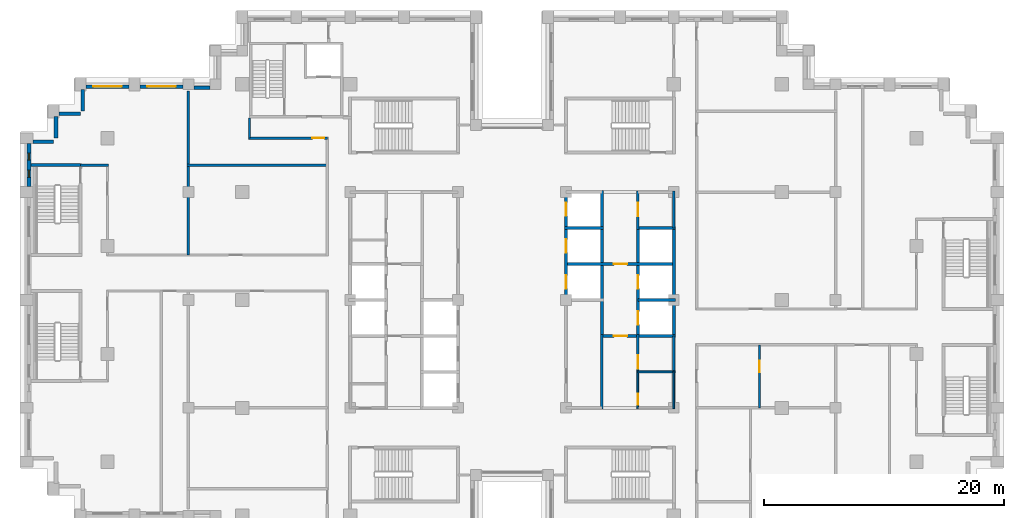
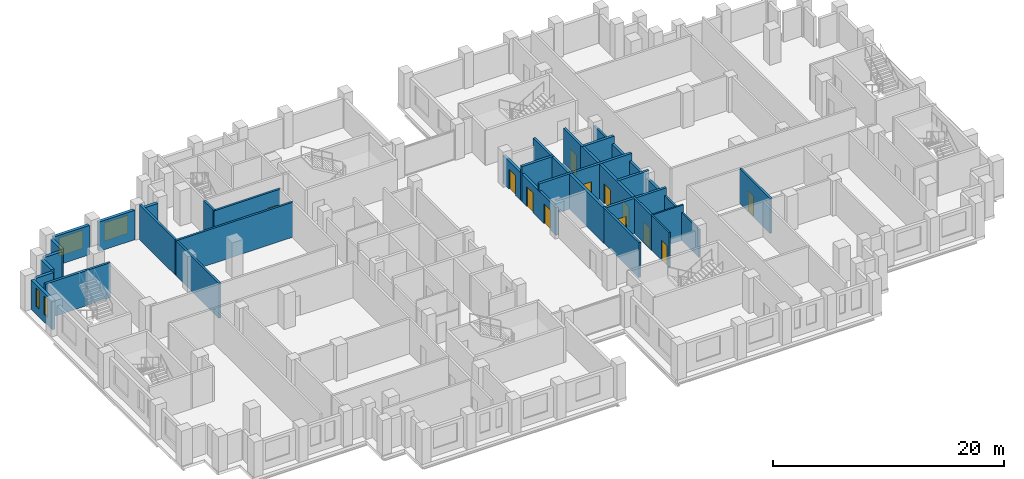
# One storey, part 9 of 15: 32 walls, 12 doors, 4 windows, 16 openings.
"""IFC4 building model written with IfcOpenShell, lengths in metres."""

from ifc_helpers import new_model, si_unit, direction, frame, frame_2d, origin, place, context, subcontext, project, spatial, rectangle, extrude, material, layer, layer_set, type_object, element, fill, save


model = new_model("IFC4")

# Units and contexts
model_context = context("Model", 3, precision=1e-05, world=origin(), true_north=direction((0.0, 1.0)))
body_context = subcontext(model_context, "Body", "Model", "MODEL_VIEW")
ifc_project = project(units=[si_unit("LENGTHUNIT", "METRE"), si_unit("AREAUNIT", "SQUARE_METRE"), si_unit("VOLUMEUNIT", "CUBIC_METRE"), si_unit("PLANEANGLEUNIT", "RADIAN"), si_unit("MASSUNIT", "GRAM", prefix="KILO")], contexts=[model_context])

# Site, building, storey
site_placement = place(None, origin())
site = spatial("IfcSite", under=ifc_project, at=site_placement, CompositionType="ELEMENT")
building_placement = place(site_placement, origin())
building = spatial("IfcBuilding", under=site, at=building_placement, Name="Corbelhall Arena Tower", CompositionType="ELEMENT")
storey_placement = place(building_placement, frame((0.0, 0.0, 138.0)))
storey = spatial("IfcBuildingStorey", under=building, at=storey_placement, Name="L26", CompositionType="ELEMENT", Elevation=138.0)

# Walls
ifc_material_1 = material(Name="Precast concrete C40/50 with granite facing", Category="masonry")
ifc_layer_1 = layer(ifc_material_1, 0.300048828125)
ifc_layer_set_1 = layer_set([ifc_layer_1], Name="EV-IW1 Infill panel 300")
wall_type_1 = type_object("IfcWallType", Name="EV-IW1 Infill panel 300", PredefinedType="SOLIDWALL", material=ifc_layer_set_1)
for number, where, z_axis, x_axis, name in (
    (1, (-35.800048828125, 17.550048828125, 0.0), (0.0, 0.0, 1.0), (0.0, -1.0, 0.0), "Infill panel IW1"),
    (2, (-37.800048828125, 15.550048828125, 0.0), (0.0, 0.0, 1.0), (1.0, 0.0, 0.0), "Infill panel IW1"),
    (3, (-38.050048828125, 15.300048828125, 0.0), (0.0, 0.0, 1.0), (0.0, -1.0, 0.0), "Infill panel IW1"),
):
    element("IfcWall", number, at=place(storey_placement, frame(where, z_axis=z_axis, x_axis=x_axis)), inside=storey, type_object=wall_type_1, Name=name, PredefinedType="SOLIDWALL", context=body_context, shape_type="SweptSolid", body=[
        extrude(rectangle(XDim=1.800048828125, YDim=0.300048828125, at=frame_2d((0.89990234375, 0.0))), origin(), (0.0, 0.0, 1.0), 3.10009765625),
    ])
wall_1_placement = place(storey_placement, frame((-39.949951171875, 13.199951171875, 0.0), z_axis=(0.0, 0.0, 1.0), x_axis=(1.0, 0.0, 0.0)))
element("IfcWall", 4, at=wall_1_placement, inside=storey, type_object=wall_type_1, Name="Infill panel IW1", PredefinedType="SOLIDWALL", context=body_context, shape_type="SweptSolid", body=[
    extrude(rectangle(XDim=1.699951171875, YDim=0.300048828125, at=frame_2d((0.85009765625, 0.0))), origin(), (0.0, 0.0, 1.0), 3.10009765625),
])
wall_2_placement = place(storey_placement, frame((-25.199951171875, 17.699951171875, 0.0), z_axis=(0.0, 0.0, 1.0), x_axis=(-1.0, 0.0, 0.0)))
element("IfcWall", 5, at=wall_2_placement, inside=storey, type_object=wall_type_1, Name="Infill panel IW1", PredefinedType="SOLIDWALL", context=body_context, shape_type="SweptSolid", body=[
    extrude(rectangle(XDim=1.35009765625, YDim=0.300048828125, at=frame_2d((0.675048828125, 0.0))), origin(), (0.0, 0.0, 1.0), 3.10009765625),
])

# Wall, opening, window
wall_3_placement = place(storey_placement, frame((-27.449951171875, 17.800048828125, 0.0), z_axis=(0.0, 0.0, 1.0), x_axis=(-1.0, 0.0, 0.0)))
wall_3 = element("IfcWall", 6, at=wall_3_placement, inside=storey, type_object=wall_type_1, Name="Infill panel IW1", PredefinedType="SOLIDWALL", context=body_context, shape_type="SweptSolid", body=[
    extrude(rectangle(XDim=3.60009765625, YDim=0.300048828125, at=frame_2d((1.800048828125, 0.0))), origin(), (0.0, 0.0, 1.0), 3.10009765625),
])
opening_1_placement = place(wall_3_placement, frame((0.60009765625, 0.0, 0.800048828125)))
opening_1 = element("IfcOpeningElement", 7, at=opening_1_placement, cuts=wall_3, Name="Opening WN1", PredefinedType="OPENING", context=body_context, shape_type="SweptSolid", body=[
    extrude(rectangle(XDim=2.39990234375, YDim=1.949951171875, at=frame_2d((1.199951171875, 0.97509765625))), frame((0.0, 0.14990234375, 0.0), z_axis=(0.0, -1.0, 0.0), x_axis=(1.0, 0.0, 0.0)), (0.0, 0.0, 1.0), 0.300048828125),
])
ifc_material_2 = material(Name="Aluminium black anodised", Category="aluminium")
window_type_1 = type_object("IfcWindowType", Name="EV-WN1 Office window", PartitioningType="SINGLE_PANEL", PredefinedType="WINDOW", material=ifc_material_2)
window_1_placement = place(opening_1_placement, origin())
window_1 = element("IfcWindow", 8, at=window_1_placement, inside=storey, type_object=window_type_1, Name="Window WN1", OverallHeight=1.949951171875, OverallWidth=2.39990234375, PartitioningType="SINGLE_PANEL", PredefinedType="WINDOW", context=body_context, shape_type="SweptSolid", body=[
    extrude(rectangle(XDim=2.39990234375, YDim=1.949951171875, at=frame_2d((1.199951171875, 0.97509765625))), frame((0.0, 0.030029296875, 0.0), z_axis=(0.0, -1.0, 0.0), x_axis=(1.0, 0.0, 0.0)), (0.0, 0.0, 1.0), 0.06005859375),
])
fill(opening_1, window_1)

wall_4_placement = place(storey_placement, frame((-31.949951171875, 17.800048828125, 0.0), z_axis=(0.0, 0.0, 1.0), x_axis=(-1.0, 0.0, 0.0)))
wall_4 = element("IfcWall", 9, at=wall_4_placement, inside=storey, type_object=wall_type_1, Name="Infill panel IW1", PredefinedType="SOLIDWALL", context=body_context, shape_type="SweptSolid", body=[
    extrude(rectangle(XDim=3.60009765625, YDim=0.300048828125, at=frame_2d((1.800048828125, 0.0))), origin(), (0.0, 0.0, 1.0), 3.10009765625),
])
opening_2_placement = place(wall_4_placement, frame((0.60009765625, 0.0, 0.800048828125)))
opening_2 = element("IfcOpeningElement", 10, at=opening_2_placement, cuts=wall_4, Name="Opening WN1", PredefinedType="OPENING", context=body_context, shape_type="SweptSolid", body=[
    extrude(rectangle(XDim=2.39990234375, YDim=1.949951171875, at=frame_2d((1.199951171875, 0.97509765625))), frame((0.0, 0.14990234375, 0.0), z_axis=(0.0, -1.0, 0.0), x_axis=(1.0, 0.0, 0.0)), (0.0, 0.0, 1.0), 0.300048828125),
])
window_2_placement = place(opening_2_placement, origin())
window_2 = element("IfcWindow", 11, at=window_2_placement, inside=storey, type_object=window_type_1, Name="Window WN1", OverallHeight=1.949951171875, OverallWidth=2.39990234375, PartitioningType="SINGLE_PANEL", PredefinedType="WINDOW", context=body_context, shape_type="SweptSolid", body=[
    extrude(rectangle(XDim=2.39990234375, YDim=1.949951171875, at=frame_2d((1.199951171875, 0.97509765625))), frame((0.0, 0.030029296875, 0.0), z_axis=(0.0, -1.0, 0.0), x_axis=(1.0, 0.0, 0.0)), (0.0, 0.0, 1.0), 0.06005859375),
])
fill(opening_2, window_2)

# Wall, openings, windows
wall_5_placement = place(storey_placement, frame((-40.300048828125, 13.050048828125, 0.0), z_axis=(0.0, 0.0, 1.0), x_axis=(0.0, -1.0, 0.0)))
wall_5 = element("IfcWall", 12, at=wall_5_placement, inside=storey, type_object=wall_type_1, Name="Infill panel IW1", PredefinedType="SOLIDWALL", context=body_context, shape_type="SweptSolid", body=[
    extrude(rectangle(XDim=3.60009765625, YDim=0.300048828125, at=frame_2d((1.800048828125, 0.0))), origin(), (0.0, 0.0, 1.0), 3.10009765625),
])
opening_3_placement = place(wall_5_placement, frame((0.78759765625, 0.0, 0.800048828125)))
opening_3 = element("IfcOpeningElement", 13, at=opening_3_placement, cuts=wall_5, Name="Opening WN5", PredefinedType="OPENING", context=body_context, shape_type="SweptSolid", body=[
    extrude(rectangle(XDim=0.60009765625, YDim=1.949951171875, at=frame_2d((0.300048828125, 0.97509765625))), frame((0.0, 0.14990234375, 0.0), z_axis=(0.0, -1.0, 0.0), x_axis=(1.0, 0.0, 0.0)), (0.0, 0.0, 1.0), 0.300048828125),
])
opening_4_placement = place(wall_5_placement, frame((2.21240234375, 0.0, 0.800048828125)))
opening_4 = element("IfcOpeningElement", 14, at=opening_4_placement, cuts=wall_5, Name="Opening WN5", PredefinedType="OPENING", context=body_context, shape_type="SweptSolid", body=[
    extrude(rectangle(XDim=0.60009765625, YDim=1.949951171875, at=frame_2d((0.300048828125, 0.97509765625))), frame((0.0, 0.14990234375, 0.0), z_axis=(0.0, -1.0, 0.0), x_axis=(1.0, 0.0, 0.0)), (0.0, 0.0, 1.0), 0.300048828125),
])
window_type_2 = type_object("IfcWindowType", Name="EV-WN5 Office window 600", PartitioningType="SINGLE_PANEL", PredefinedType="WINDOW", material=ifc_material_2)
window_3_placement = place(opening_3_placement, origin())
window_3 = element("IfcWindow", 15, at=window_3_placement, inside=storey, type_object=window_type_2, Name="Window WN5", OverallHeight=1.949951171875, OverallWidth=0.60009765625, PartitioningType="SINGLE_PANEL", PredefinedType="WINDOW", context=body_context, shape_type="SweptSolid", body=[
    extrude(rectangle(XDim=0.60009765625, YDim=1.949951171875, at=frame_2d((0.300048828125, 0.97509765625))), frame((0.0, 0.030029296875, 0.0), z_axis=(0.0, -1.0, 0.0), x_axis=(1.0, 0.0, 0.0)), (0.0, 0.0, 1.0), 0.06005859375),
])
fill(opening_3, window_3)
window_4_placement = place(opening_4_placement, origin())
window_4 = element("IfcWindow", 16, at=window_4_placement, inside=storey, type_object=window_type_2, Name="Window WN5", OverallHeight=1.949951171875, OverallWidth=0.60009765625, PartitioningType="SINGLE_PANEL", PredefinedType="WINDOW", context=body_context, shape_type="SweptSolid", body=[
    extrude(rectangle(XDim=0.60009765625, YDim=1.949951171875, at=frame_2d((0.300048828125, 0.97509765625))), frame((0.0, 0.030029296875, 0.0), z_axis=(0.0, -1.0, 0.0), x_axis=(1.0, 0.0, 0.0)), (0.0, 0.0, 1.0), 0.06005859375),
])
fill(opening_4, window_4)

# Walls
ifc_material_3 = material(Name="Gypsum board on steel stud, acoustic", Category="steel")
ifc_layer_2 = layer(ifc_material_3, 0.199951171875)
ifc_layer_set_2 = layer_set([ifc_layer_2], Name="IN-W-DM200")
wall_type_2 = type_object("IfcWallType", Name="IN-W-DM200", PredefinedType="PARTITIONING", material=ifc_layer_set_2)
wall_6_placement = place(storey_placement, frame((-36.0, 11.25, 0.0), z_axis=(0.0, 0.0, 1.0), x_axis=(1.0, 0.0, 0.0)))
element("IfcWall", 17, at=wall_6_placement, inside=storey, type_object=wall_type_2, Name="Partition 001", PredefinedType="PARTITIONING", context=body_context, shape_type="SweptSolid", body=[
    extrude(rectangle(XDim=2.35009765625, YDim=0.199951171875, at=frame_2d((1.175048828125, 0.0))), origin(), (0.0, 0.0, 1.0), 3.699951171875),
])
wall_7_placement = place(storey_placement, frame((-27.10009765625, 11.25, 0.0), z_axis=(0.0, 0.0, 1.0), x_axis=(1.0, 0.0, 0.0)))
element("IfcWall", 18, at=wall_7_placement, inside=storey, type_object=wall_type_2, Name="Partition 010", PredefinedType="PARTITIONING", context=body_context, shape_type="SweptSolid", body=[
    extrude(rectangle(XDim=11.7001953125, YDim=0.199951171875, at=frame_2d((5.85009765625, 0.0))), origin(), (0.0, 0.0, 1.0), 3.699951171875),
])
wall_8_placement = place(storey_placement, frame((-27.0, 3.75, 0.0), z_axis=(0.0, 0.0, 1.0), x_axis=(0.0, 1.0, 0.0)))
element("IfcWall", 19, at=wall_8_placement, inside=storey, type_object=wall_type_2, Name="Partition 012", PredefinedType="PARTITIONING", context=body_context, shape_type="SweptSolid", body=[
    extrude(rectangle(XDim=13.699951171875, YDim=0.199951171875, at=frame_2d((6.85009765625, 0.0))), origin(), (0.0, 0.0, 1.0), 3.699951171875),
])
wall_9_placement = place(storey_placement, frame((-21.89990234375, 13.5, 0.0), z_axis=(0.0, 0.0, 1.0), x_axis=(0.0, 1.0, 0.0)))
element("IfcWall", 20, at=wall_9_placement, inside=storey, type_object=wall_type_2, Name="Partition 014", PredefinedType="PARTITIONING", context=body_context, shape_type="SweptSolid", body=[
    extrude(rectangle(XDim=1.699951171875, YDim=0.199951171875, at=frame_2d((0.85009765625, 0.0))), origin(), (0.0, 0.0, 1.0), 3.699951171875),
])

# Wall, opening, door
wall_10_placement = place(storey_placement, frame((-15.39990234375, 13.5, 0.0), z_axis=(0.0, 0.0, 1.0), x_axis=(-1.0, 0.0, 0.0)))
wall_10 = element("IfcWall", 21, at=wall_10_placement, inside=storey, type_object=wall_type_2, Name="Partition 018", PredefinedType="PARTITIONING", context=body_context, shape_type="SweptSolid", body=[
    extrude(rectangle(XDim=6.60009765625, YDim=0.199951171875, at=frame_2d((3.300048828125, 0.0))), origin(), (0.0, 0.0, 1.0), 3.699951171875),
])
opening_5_placement = place(wall_10_placement, frame((0.25, 0.0, 0.0)))
opening_5 = element("IfcOpeningElement", 22, at=opening_5_placement, cuts=wall_10, Name="Opening 07027", PredefinedType="OPENING", context=body_context, shape_type="SweptSolid", body=[
    extrude(rectangle(XDim=1.0, YDim=2.10009765625, at=frame_2d((0.5, 1.050048828125))), frame((0.0, 0.10009765625, 0.0), z_axis=(0.0, -1.0, 0.0), x_axis=(1.0, 0.0, 0.0)), (0.0, 0.0, 1.0), 0.199951171875),
])
ifc_material_4 = material(Name="Steel door set", Category="steel")
door_type_1 = type_object("IfcDoorType", Name="IN-D-SW100", OperationType="NOTDEFINED", PredefinedType="DOOR", material=ifc_material_4)
door_1_placement = place(opening_5_placement, origin())
door_1 = element("IfcDoor", 23, at=door_1_placement, inside=storey, type_object=door_type_1, Name="Door 027", OperationType="SINGLE_SWING_RIGHT", OverallHeight=2.10009765625, OverallWidth=1.0, PredefinedType="DOOR", context=body_context, shape_type="SweptSolid", body=[
    extrude(rectangle(XDim=1.0, YDim=2.10009765625, at=frame_2d((0.5, 1.050048828125))), frame((0.0, 0.02490234375, 0.0), z_axis=(0.0, -1.0, 0.0), x_axis=(1.0, 0.0, 0.0)), (0.0, 0.0, 1.0), 0.050048828125),
])
fill(opening_5, door_1)

wall_11_placement = place(storey_placement, frame((20.64990234375, -3.75, 0.0), z_axis=(0.0, 0.0, 1.0), x_axis=(0.0, -1.0, 0.0)))
wall_11 = element("IfcWall", 24, at=wall_11_placement, inside=storey, type_object=wall_type_2, Name="Partition 036", PredefinedType="PARTITIONING", context=body_context, shape_type="SweptSolid", body=[
    extrude(rectangle(XDim=5.25, YDim=0.199951171875, at=frame_2d((2.625, 0.0))), origin(), (0.0, 0.0, 1.0), 3.699951171875),
])
opening_6_placement = place(wall_11_placement, frame((1.300048828125, 0.0, 0.0)))
opening_6 = element("IfcOpeningElement", 25, at=opening_6_placement, cuts=wall_11, Name="Opening 07039", PredefinedType="OPENING", context=body_context, shape_type="SweptSolid", body=[
    extrude(rectangle(XDim=1.0, YDim=2.10009765625, at=frame_2d((0.5, 1.050048828125))), frame((0.0, 0.10009765625, 0.0), z_axis=(0.0, -1.0, 0.0), x_axis=(1.0, 0.0, 0.0)), (0.0, 0.0, 1.0), 0.199951171875),
])
door_2_placement = place(opening_6_placement, origin())
door_2 = element("IfcDoor", 26, at=door_2_placement, inside=storey, type_object=door_type_1, Name="Door 039", OperationType="SINGLE_SWING_RIGHT", OverallHeight=2.10009765625, OverallWidth=1.0, PredefinedType="DOOR", context=body_context, shape_type="SweptSolid", body=[
    extrude(rectangle(XDim=1.0, YDim=2.10009765625, at=frame_2d((0.5, 1.050048828125))), frame((0.0, 0.02490234375, 0.0), z_axis=(0.0, -1.0, 0.0), x_axis=(1.0, 0.0, 0.0)), (0.0, 0.0, 1.0), 0.050048828125),
])
fill(opening_6, door_2)

# Wall
ifc_material_5 = material(Name="Concrete block wall", Category="concrete")
ifc_layer_3 = layer(ifc_material_5, 0.199951171875)
ifc_layer_set_3 = layer_set([ifc_layer_3], Name="IN-W-RS200")
wall_type_3 = type_object("IfcWallType", Name="IN-W-RS200", PredefinedType="SOLIDWALL", material=ifc_layer_set_3)
wall_12_placement = place(storey_placement, frame((7.5, -2.875, 0.0), z_axis=(0.0, 0.0, 1.0), x_axis=(0.0, -1.0, 0.0)))
element("IfcWall", 27, at=wall_12_placement, inside=storey, type_object=wall_type_3, Name="Partition 056", PredefinedType="SOLIDWALL", context=body_context, shape_type="SweptSolid", body=[
    extrude(rectangle(XDim=6.22509765625, YDim=0.199951171875, at=frame_2d((3.112548828125, 0.0))), origin(), (0.0, 0.0, 1.0), 3.699951171875),
])

# Wall, opening, door
wall_13_placement = place(storey_placement, frame((10.5, -2.875, 0.0), z_axis=(0.0, 0.0, 1.0), x_axis=(0.0, -1.0, 0.0)))
wall_13 = element("IfcWall", 28, at=wall_13_placement, inside=storey, type_object=wall_type_3, Name="Partition 057", PredefinedType="SOLIDWALL", context=body_context, shape_type="SweptSolid", body=[
    extrude(rectangle(XDim=3.199951171875, YDim=0.199951171875, at=frame_2d((1.60009765625, 0.0))), origin(), (0.0, 0.0, 1.0), 3.699951171875),
])
opening_7_placement = place(wall_13_placement, frame((1.75, 0.0, 0.0)))
opening_7 = element("IfcOpeningElement", 29, at=opening_7_placement, cuts=wall_13, Name="Opening 07012", PredefinedType="OPENING", context=body_context, shape_type="SweptSolid", body=[
    extrude(rectangle(XDim=1.10009765625, YDim=2.10009765625, at=frame_2d((0.550048828125, 1.050048828125))), frame((0.0, 0.10009765625, 0.0), z_axis=(0.0, -1.0, 0.0), x_axis=(1.0, 0.0, 0.0)), (0.0, 0.0, 1.0), 0.199951171875),
])
door_type_2 = type_object("IfcDoorType", Name="IN-D-FD110", OperationType="NOTDEFINED", PredefinedType="DOOR", material=ifc_material_4)
door_3_placement = place(opening_7_placement, origin())
door_3 = element("IfcDoor", 30, at=door_3_placement, inside=storey, type_object=door_type_2, Name="Door 012", OperationType="SINGLE_SWING_LEFT", OverallHeight=2.10009765625, OverallWidth=1.10009765625, PredefinedType="DOOR", context=body_context, shape_type="SweptSolid", body=[
    extrude(rectangle(XDim=1.10009765625, YDim=2.10009765625, at=frame_2d((0.550048828125, 1.050048828125))), frame((0.0, 0.02490234375, 0.0), z_axis=(0.0, -1.0, 0.0), x_axis=(1.0, 0.0, 0.0)), (0.0, 0.0, 1.0), 0.050048828125),
])
fill(opening_7, door_3)

wall_14_placement = place(storey_placement, frame((10.5, 9.10009765625, 0.0), z_axis=(0.0, 0.0, 1.0), x_axis=(0.0, -1.0, 0.0)))
wall_14 = element("IfcWall", 31, at=wall_14_placement, inside=storey, type_object=wall_type_3, Name="Partition 059", PredefinedType="SOLIDWALL", context=body_context, shape_type="SweptSolid", body=[
    extrude(rectangle(XDim=3.22509765625, YDim=0.199951171875, at=frame_2d((1.612548828125, 0.0))), origin(), (0.0, 0.0, 1.0), 3.699951171875),
])
opening_8_placement = place(wall_14_placement, frame((1.0, 0.0, 0.0)))
opening_8 = element("IfcOpeningElement", 32, at=opening_8_placement, cuts=wall_14, Name="Opening 07013", PredefinedType="OPENING", context=body_context, shape_type="SweptSolid", body=[
    extrude(rectangle(XDim=1.10009765625, YDim=2.10009765625, at=frame_2d((0.550048828125, 1.050048828125))), frame((0.0, 0.10009765625, 0.0), z_axis=(0.0, -1.0, 0.0), x_axis=(1.0, 0.0, 0.0)), (0.0, 0.0, 1.0), 0.199951171875),
])
door_4_placement = place(opening_8_placement, origin())
door_4 = element("IfcDoor", 33, at=door_4_placement, inside=storey, type_object=door_type_2, Name="Door 013", OperationType="SINGLE_SWING_RIGHT", OverallHeight=2.10009765625, OverallWidth=1.10009765625, PredefinedType="DOOR", context=body_context, shape_type="SweptSolid", body=[
    extrude(rectangle(XDim=1.10009765625, YDim=2.10009765625, at=frame_2d((0.550048828125, 1.050048828125))), frame((0.0, 0.02490234375, 0.0), z_axis=(0.0, -1.0, 0.0), x_axis=(1.0, 0.0, 0.0)), (0.0, 0.0, 1.0), 0.050048828125),
])
fill(opening_8, door_4)

# Walls
ifc_layer_4 = layer(ifc_material_5, 0.199951171875)
ifc_layer_set_4 = layer_set([ifc_layer_4], Name="IN-W-RS200 under beam 762 mm")
wall_type_4 = type_object("IfcWallType", Name="IN-W-RS200 under beam 762 mm", PredefinedType="SOLIDWALL", material=ifc_layer_set_4)
wall_15_placement = place(storey_placement, frame((13.5, -3.0, 0.0), z_axis=(0.0, 0.0, 1.0), x_axis=(0.0, -1.0, 0.0)))
element("IfcWall", 34, at=wall_15_placement, inside=storey, type_object=wall_type_4, Name="Partition 060", PredefinedType="SOLIDWALL", context=body_context, shape_type="SweptSolid", body=[
    extrude(rectangle(XDim=3.0, YDim=0.199951171875, at=frame_2d((1.5, 0.0))), origin(), (0.0, 0.0, 1.0), 2.93798828125),
])
wall_16_placement = place(storey_placement, frame((13.5, 9.10009765625, 0.0), z_axis=(0.0, 0.0, 1.0), x_axis=(0.0, -1.0, 0.0)))
element("IfcWall", 35, at=wall_16_placement, inside=storey, type_object=wall_type_4, Name="Partition 061", PredefinedType="SOLIDWALL", context=body_context, shape_type="SweptSolid", body=[
    extrude(rectangle(XDim=3.10009765625, YDim=0.199951171875, at=frame_2d((1.550048828125, 0.0))), origin(), (0.0, 0.0, 1.0), 2.93798828125),
])

# Wall, opening, door
ifc_material_6 = material(Name="Concrete C40/50", Category="concrete")
ifc_layer_5 = layer(ifc_material_6, 0.25)
ifc_layer_set_5 = layer_set([ifc_layer_5], Name="IN-W-SH250")
wall_type_5 = type_object("IfcWallType", Name="IN-W-SH250", PredefinedType="SOLIDWALL", material=ifc_layer_set_5)
wall_17_placement = place(storey_placement, frame((4.375, 3.0, 0.0), z_axis=(0.0, 0.0, 1.0), x_axis=(1.0, 0.0, 0.0)))
wall_17 = element("IfcWall", 36, at=wall_17_placement, inside=storey, type_object=wall_type_5, Name="Shaft wall 073", PredefinedType="SOLIDWALL", context=body_context, shape_type="SweptSolid", body=[
    extrude(rectangle(XDim=9.25, YDim=0.25, at=frame_2d((4.625, 0.0))), origin(), (0.0, 0.0, 1.0), 3.699951171875),
])
opening_9_placement = place(wall_17_placement, frame((4.125, 0.0, 0.0)))
opening_9 = element("IfcOpeningElement", 37, at=opening_9_placement, cuts=wall_17, Name="Opening 07010", PredefinedType="OPENING", context=body_context, shape_type="SweptSolid", body=[
    extrude(rectangle(XDim=1.10009765625, YDim=2.10009765625, at=frame_2d((0.550048828125, 1.050048828125))), frame((0.0, 0.125, 0.0), z_axis=(0.0, -1.0, 0.0), x_axis=(1.0, 0.0, 0.0)), (0.0, 0.0, 1.0), 0.25),
])
door_5_placement = place(opening_9_placement, origin())
door_5 = element("IfcDoor", 38, at=door_5_placement, inside=storey, type_object=door_type_2, Name="Door 010", OperationType="SINGLE_SWING_LEFT", OverallHeight=2.10009765625, OverallWidth=1.10009765625, PredefinedType="DOOR", context=body_context, shape_type="SweptSolid", body=[
    extrude(rectangle(XDim=1.10009765625, YDim=2.10009765625, at=frame_2d((0.550048828125, 1.050048828125))), frame((0.0, 0.02490234375, 0.0), z_axis=(0.0, -1.0, 0.0), x_axis=(1.0, 0.0, 0.0)), (0.0, 0.0, 1.0), 0.050048828125),
])
fill(opening_9, door_5)

# Wall
wall_18_placement = place(storey_placement, frame((4.375, 6.0, 0.0), z_axis=(0.0, 0.0, 1.0), x_axis=(1.0, 0.0, 0.0)))
element("IfcWall", 39, at=wall_18_placement, inside=storey, type_object=wall_type_5, Name="Shaft wall 074", PredefinedType="SOLIDWALL", context=body_context, shape_type="SweptSolid", body=[
    extrude(rectangle(XDim=3.25, YDim=0.25, at=frame_2d((1.625, 0.0))), origin(), (0.0, 0.0, 1.0), 3.699951171875),
])

# Wall, opening, door
wall_19_placement = place(storey_placement, frame((7.5, -3.0, 0.0), z_axis=(0.0, 0.0, 1.0), x_axis=(1.0, 0.0, 0.0)))
wall_19 = element("IfcWall", 40, at=wall_19_placement, inside=storey, type_object=wall_type_5, Name="Shaft wall 077", PredefinedType="SOLIDWALL", context=body_context, shape_type="SweptSolid", body=[
    extrude(rectangle(XDim=6.125, YDim=0.25, at=frame_2d((3.0625, 0.0))), origin(), (0.0, 0.0, 1.0), 3.699951171875),
])
opening_10_placement = place(wall_19_placement, frame((1.0, 0.0, 0.0)))
opening_10 = element("IfcOpeningElement", 41, at=opening_10_placement, cuts=wall_19, Name="Opening 07009", PredefinedType="OPENING", context=body_context, shape_type="SweptSolid", body=[
    extrude(rectangle(XDim=1.10009765625, YDim=2.10009765625, at=frame_2d((0.550048828125, 1.050048828125))), frame((0.0, 0.125, 0.0), z_axis=(0.0, -1.0, 0.0), x_axis=(1.0, 0.0, 0.0)), (0.0, 0.0, 1.0), 0.25),
])
door_6_placement = place(opening_10_placement, origin())
door_6 = element("IfcDoor", 42, at=door_6_placement, inside=storey, type_object=door_type_2, Name="Door 009", OperationType="SINGLE_SWING_RIGHT", OverallHeight=2.10009765625, OverallWidth=1.10009765625, PredefinedType="DOOR", context=body_context, shape_type="SweptSolid", body=[
    extrude(rectangle(XDim=1.10009765625, YDim=2.10009765625, at=frame_2d((0.550048828125, 1.050048828125))), frame((0.0, 0.02490234375, 0.0), z_axis=(0.0, -1.0, 0.0), x_axis=(1.0, 0.0, 0.0)), (0.0, 0.0, 1.0), 0.050048828125),
])
fill(opening_10, door_6)

# Walls
wall_20_placement = place(storey_placement, frame((7.5, 9.125, 0.0), z_axis=(0.0, 0.0, 1.0), x_axis=(0.0, -1.0, 0.0)))
element("IfcWall", 43, at=wall_20_placement, inside=storey, type_object=wall_type_5, Name="Shaft wall 078", PredefinedType="SOLIDWALL", context=body_context, shape_type="SweptSolid", body=[
    extrude(rectangle(XDim=12.25, YDim=0.25, at=frame_2d((6.125, 0.0))), origin(), (0.0, 0.0, 1.0), 3.699951171875),
])
wall_21_placement = place(storey_placement, frame((10.5, 0.0, 0.0), z_axis=(0.0, 0.0, 1.0), x_axis=(1.0, 0.0, 0.0)))
element("IfcWall", 44, at=wall_21_placement, inside=storey, type_object=wall_type_5, Name="Shaft wall 079", PredefinedType="SOLIDWALL", context=body_context, shape_type="SweptSolid", body=[
    extrude(rectangle(XDim=3.125, YDim=0.25, at=frame_2d((1.5625, 0.0))), origin(), (0.0, 0.0, 1.0), 3.699951171875),
])

# Wall, openings, doors
wall_22_placement = place(storey_placement, frame((10.5, 6.125, 0.0), z_axis=(0.0, 0.0, 1.0), x_axis=(0.0, -1.0, 0.0)))
wall_22 = element("IfcWall", 45, at=wall_22_placement, inside=storey, type_object=wall_type_5, Name="Shaft wall 080", PredefinedType="SOLIDWALL", context=body_context, shape_type="SweptSolid", body=[
    extrude(rectangle(XDim=9.25, YDim=0.25, at=frame_2d((4.625, 0.0))), origin(), (0.0, 0.0, 1.0), 3.699951171875),
])
opening_11_placement = place(wall_22_placement, frame((7.074951171875, 0.0, 0.0)))
opening_11 = element("IfcOpeningElement", 46, at=opening_11_placement, cuts=wall_22, Name="Opening LD", PredefinedType="OPENING", context=body_context, shape_type="SweptSolid", body=[
    extrude(rectangle(XDim=1.10009765625, YDim=2.10009765625, at=frame_2d((0.550048828125, 1.050048828125))), frame((0.0, 0.125, 0.0), z_axis=(0.0, -1.0, 0.0), x_axis=(1.0, 0.0, 0.0)), (0.0, 0.0, 1.0), 0.25),
])
opening_12_placement = place(wall_22_placement, frame((4.074951171875, 0.0, 0.0)))
opening_12 = element("IfcOpeningElement", 47, at=opening_12_placement, cuts=wall_22, Name="Opening LD", PredefinedType="OPENING", context=body_context, shape_type="SweptSolid", body=[
    extrude(rectangle(XDim=1.10009765625, YDim=2.10009765625, at=frame_2d((0.550048828125, 1.050048828125))), frame((0.0, 0.125, 0.0), z_axis=(0.0, -1.0, 0.0), x_axis=(1.0, 0.0, 0.0)), (0.0, 0.0, 1.0), 0.25),
])
door_type_3 = type_object("IfcDoorType", Name="IN-D-LD110", OperationType="NOTDEFINED", PredefinedType="DOOR", material=ifc_material_4)
door_7_placement = place(opening_11_placement, origin())
door_7 = element("IfcDoor", 48, at=door_7_placement, inside=storey, type_object=door_type_3, Name="Landing door E3", OperationType="SLIDING_TO_LEFT", OverallHeight=2.10009765625, OverallWidth=1.10009765625, PredefinedType="DOOR", context=body_context, shape_type="SweptSolid", body=[
    extrude(rectangle(XDim=1.10009765625, YDim=2.10009765625, at=frame_2d((0.550048828125, 1.050048828125))), frame((0.0, 0.02490234375, 0.0), z_axis=(0.0, -1.0, 0.0), x_axis=(1.0, 0.0, 0.0)), (0.0, 0.0, 1.0), 0.050048828125),
])
fill(opening_11, door_7)
door_8_placement = place(opening_12_placement, origin())
door_8 = element("IfcDoor", 49, at=door_8_placement, inside=storey, type_object=door_type_3, Name="Landing door E4", OperationType="SLIDING_TO_LEFT", OverallHeight=2.10009765625, OverallWidth=1.10009765625, PredefinedType="DOOR", context=body_context, shape_type="SweptSolid", body=[
    extrude(rectangle(XDim=1.10009765625, YDim=2.10009765625, at=frame_2d((0.550048828125, 1.050048828125))), frame((0.0, 0.02490234375, 0.0), z_axis=(0.0, -1.0, 0.0), x_axis=(1.0, 0.0, 0.0)), (0.0, 0.0, 1.0), 0.050048828125),
])
fill(opening_12, door_8)

# Wall
wall_23_placement = place(storey_placement, frame((10.5, 6.0, 0.0), z_axis=(0.0, 0.0, 1.0), x_axis=(1.0, 0.0, 0.0)))
element("IfcWall", 50, at=wall_23_placement, inside=storey, type_object=wall_type_5, Name="Shaft wall 081", PredefinedType="SOLIDWALL", context=body_context, shape_type="SweptSolid", body=[
    extrude(rectangle(XDim=3.125, YDim=0.25, at=frame_2d((1.5625, 0.0))), origin(), (0.0, 0.0, 1.0), 3.699951171875),
])

# Wall, openings, doors
ifc_layer_6 = layer(ifc_material_6, 0.25)
ifc_layer_set_6 = layer_set([ifc_layer_6], Name="IN-W-SH250 under beam 762 mm")
wall_type_6 = type_object("IfcWallType", Name="IN-W-SH250 under beam 762 mm", PredefinedType="SOLIDWALL", material=ifc_layer_set_6)
wall_24_placement = place(storey_placement, frame((4.5, 0.0, 0.0), z_axis=(0.0, 0.0, 1.0), x_axis=(0.0, 1.0, 0.0)))
wall_24 = element("IfcWall", 51, at=wall_24_placement, inside=storey, type_object=wall_type_6, Name="Shaft wall 075", PredefinedType="SOLIDWALL", context=body_context, shape_type="SweptSolid", body=[
    extrude(rectangle(XDim=9.125, YDim=0.25, at=frame_2d((4.5625, 0.0))), origin(), (0.0, 0.0, 1.0), 2.93798828125),
])
opening_13_placement = place(wall_24_placement, frame((0.949951171875, 0.0, 0.0)))
opening_13 = element("IfcOpeningElement", 52, at=opening_13_placement, cuts=wall_24, Name="Opening LD", PredefinedType="OPENING", context=body_context, shape_type="SweptSolid", body=[
    extrude(rectangle(XDim=1.10009765625, YDim=2.10009765625, at=frame_2d((0.550048828125, 1.050048828125))), frame((0.0, 0.125, 0.0), z_axis=(0.0, -1.0, 0.0), x_axis=(1.0, 0.0, 0.0)), (0.0, 0.0, 1.0), 0.25),
])
opening_14_placement = place(wall_24_placement, frame((3.949951171875, 0.0, 0.0)))
opening_14 = element("IfcOpeningElement", 53, at=opening_14_placement, cuts=wall_24, Name="Opening LD", PredefinedType="OPENING", context=body_context, shape_type="SweptSolid", body=[
    extrude(rectangle(XDim=1.10009765625, YDim=2.10009765625, at=frame_2d((0.550048828125, 1.050048828125))), frame((0.0, 0.125, 0.0), z_axis=(0.0, -1.0, 0.0), x_axis=(1.0, 0.0, 0.0)), (0.0, 0.0, 1.0), 0.25),
])
opening_15_placement = place(wall_24_placement, frame((7.012451171875, 0.0, 0.0)))
opening_15 = element("IfcOpeningElement", 54, at=opening_15_placement, cuts=wall_24, Name="Opening LD", PredefinedType="OPENING", context=body_context, shape_type="SweptSolid", body=[
    extrude(rectangle(XDim=1.10009765625, YDim=2.10009765625, at=frame_2d((0.550048828125, 1.050048828125))), frame((0.0, 0.125, 0.0), z_axis=(0.0, -1.0, 0.0), x_axis=(1.0, 0.0, 0.0)), (0.0, 0.0, 1.0), 0.25),
])
door_9_placement = place(opening_13_placement, origin())
door_9 = element("IfcDoor", 55, at=door_9_placement, inside=storey, type_object=door_type_3, Name="Landing door E4", OperationType="SLIDING_TO_LEFT", OverallHeight=2.10009765625, OverallWidth=1.10009765625, PredefinedType="DOOR", context=body_context, shape_type="SweptSolid", body=[
    extrude(rectangle(XDim=1.10009765625, YDim=2.10009765625, at=frame_2d((0.550048828125, 1.050048828125))), frame((0.0, 0.02490234375, 0.0), z_axis=(0.0, -1.0, 0.0), x_axis=(1.0, 0.0, 0.0)), (0.0, 0.0, 1.0), 0.050048828125),
])
fill(opening_13, door_9)
door_10_placement = place(opening_14_placement, origin())
door_10 = element("IfcDoor", 56, at=door_10_placement, inside=storey, type_object=door_type_3, Name="Landing door E5", OperationType="SLIDING_TO_LEFT", OverallHeight=2.10009765625, OverallWidth=1.10009765625, PredefinedType="DOOR", context=body_context, shape_type="SweptSolid", body=[
    extrude(rectangle(XDim=1.10009765625, YDim=2.10009765625, at=frame_2d((0.550048828125, 1.050048828125))), frame((0.0, 0.02490234375, 0.0), z_axis=(0.0, -1.0, 0.0), x_axis=(1.0, 0.0, 0.0)), (0.0, 0.0, 1.0), 0.050048828125),
])
fill(opening_14, door_10)
door_11_placement = place(opening_15_placement, origin())
door_11 = element("IfcDoor", 57, at=door_11_placement, inside=storey, type_object=door_type_3, Name="Landing door E6", OperationType="SLIDING_TO_LEFT", OverallHeight=2.10009765625, OverallWidth=1.10009765625, PredefinedType="DOOR", context=body_context, shape_type="SweptSolid", body=[
    extrude(rectangle(XDim=1.10009765625, YDim=2.10009765625, at=frame_2d((0.550048828125, 1.050048828125))), frame((0.0, 0.02490234375, 0.0), z_axis=(0.0, -1.0, 0.0), x_axis=(1.0, 0.0, 0.0)), (0.0, 0.0, 1.0), 0.050048828125),
])
fill(opening_15, door_11)

# Walls
wall_25_placement = place(storey_placement, frame((13.5, 6.0, 0.0), z_axis=(0.0, 0.0, 1.0), x_axis=(0.0, -1.0, 0.0)))
element("IfcWall", 58, at=wall_25_placement, inside=storey, type_object=wall_type_6, Name="Shaft wall 082", PredefinedType="SOLIDWALL", context=body_context, shape_type="SweptSolid", body=[
    extrude(rectangle(XDim=9.0, YDim=0.25, at=frame_2d((4.5, 0.0))), origin(), (0.0, 0.0, 1.0), 2.93798828125),
])
ifc_layer_7 = layer(ifc_material_6, 0.25)
ifc_layer_set_7 = layer_set([ifc_layer_7], Name="IN-W-ST250")
wall_type_7 = type_object("IfcWallType", Name="IN-W-ST250", PredefinedType="SOLIDWALL", material=ifc_layer_set_7)
wall_26_placement = place(storey_placement, frame((-40.14990234375, 11.25, 0.0), z_axis=(0.0, 0.0, 1.0), x_axis=(1.0, 0.0, 0.0)))
element("IfcWall", 59, at=wall_26_placement, inside=storey, type_object=wall_type_7, Name="Shaft wall 084", PredefinedType="SOLIDWALL", context=body_context, shape_type="SweptSolid", body=[
    extrude(rectangle(XDim=4.14990234375, YDim=0.25, at=frame_2d((2.074951171875, 0.0))), origin(), (0.0, 0.0, 1.0), 3.699951171875),
])
ifc_material_7 = material(Name="Gypsum board on steel stud, moisture resistant", Category="steel")
ifc_layer_8 = layer(ifc_material_7, 0.14990234375)
ifc_layer_set_8 = layer_set([ifc_layer_8], Name="IN-W-WC150")
wall_type_8 = type_object("IfcWallType", Name="IN-W-WC150", PredefinedType="PARTITIONING", material=ifc_layer_set_8)
wall_27_placement = place(storey_placement, frame((10.5, -6.0, 0.0), z_axis=(0.0, 0.0, 1.0), x_axis=(1.0, 0.0, 0.0)))
element("IfcWall", 60, at=wall_27_placement, inside=storey, type_object=wall_type_8, Name="Partition 118", PredefinedType="PARTITIONING", context=body_context, shape_type="SweptSolid", body=[
    extrude(rectangle(XDim=3.10009765625, YDim=0.14990234375, at=frame_2d((1.550048828125, 0.0))), origin(), (0.0, 0.0, 1.0), 3.699951171875),
])

# Wall, opening, door
wall_28_placement = place(storey_placement, frame((10.5, -5.925048828125, 0.0), z_axis=(0.0, 0.0, 1.0), x_axis=(0.0, -1.0, 0.0)))
wall_28 = element("IfcWall", 61, at=wall_28_placement, inside=storey, type_object=wall_type_8, Name="Partition 119", PredefinedType="PARTITIONING", context=body_context, shape_type="SweptSolid", body=[
    extrude(rectangle(XDim=3.14990234375, YDim=0.14990234375, at=frame_2d((1.574951171875, 0.0))), origin(), (0.0, 0.0, 1.0), 3.699951171875),
])
opening_16_placement = place(wall_28_placement, frame((1.89990234375, 0.0, 0.0)))
opening_16 = element("IfcOpeningElement", 62, at=opening_16_placement, cuts=wall_28, Name="Opening 07011", PredefinedType="OPENING", context=body_context, shape_type="SweptSolid", body=[
    extrude(rectangle(XDim=0.89990234375, YDim=2.10009765625, at=frame_2d((0.449951171875, 1.050048828125))), frame((0.0, 0.074951171875, 0.0), z_axis=(0.0, -1.0, 0.0), x_axis=(1.0, 0.0, 0.0)), (0.0, 0.0, 1.0), 0.14990234375),
])
ifc_material_8 = material(Name="Timber door set", Category="wood")
door_type_4 = type_object("IfcDoorType", Name="IN-D-SW90", OperationType="NOTDEFINED", PredefinedType="DOOR", material=ifc_material_8)
door_12_placement = place(opening_16_placement, origin())
door_12 = element("IfcDoor", 63, at=door_12_placement, inside=storey, type_object=door_type_4, Name="Door 011", OperationType="SINGLE_SWING_RIGHT", OverallHeight=2.10009765625, OverallWidth=0.89990234375, PredefinedType="DOOR", context=body_context, shape_type="SweptSolid", body=[
    extrude(rectangle(XDim=0.89990234375, YDim=2.10009765625, at=frame_2d((0.449951171875, 1.050048828125))), frame((0.0, 0.02490234375, 0.0), z_axis=(0.0, -1.0, 0.0), x_axis=(1.0, 0.0, 0.0)), (0.0, 0.0, 1.0), 0.050048828125),
])
fill(opening_16, door_12)

# Wall
ifc_layer_9 = layer(ifc_material_7, 0.14990234375)
ifc_layer_set_9 = layer_set([ifc_layer_9], Name="IN-W-WC150 under beam 762 mm")
wall_type_9 = type_object("IfcWallType", Name="IN-W-WC150 under beam 762 mm", PredefinedType="PARTITIONING", material=ifc_layer_set_9)
wall_29_placement = place(storey_placement, frame((13.5, -6.0, 0.0), z_axis=(0.0, 0.0, 1.0), x_axis=(0.0, -1.0, 0.0)))
element("IfcWall", 64, at=wall_29_placement, inside=storey, type_object=wall_type_9, Name="Partition 121", PredefinedType="PARTITIONING", context=body_context, shape_type="SweptSolid", body=[
    extrude(rectangle(XDim=3.074951171875, YDim=0.14990234375, at=frame_2d((1.53759765625, 0.0))), origin(), (0.0, 0.0, 1.0), 2.93798828125),
])

save(model, "model.ifc")
